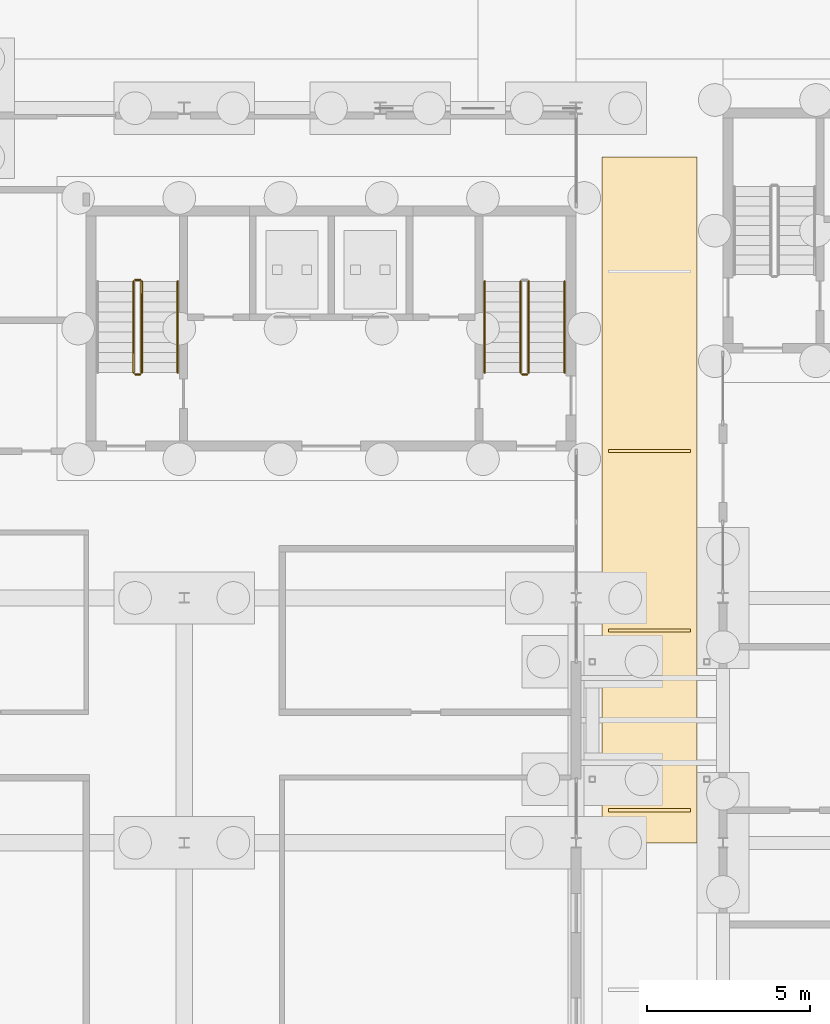
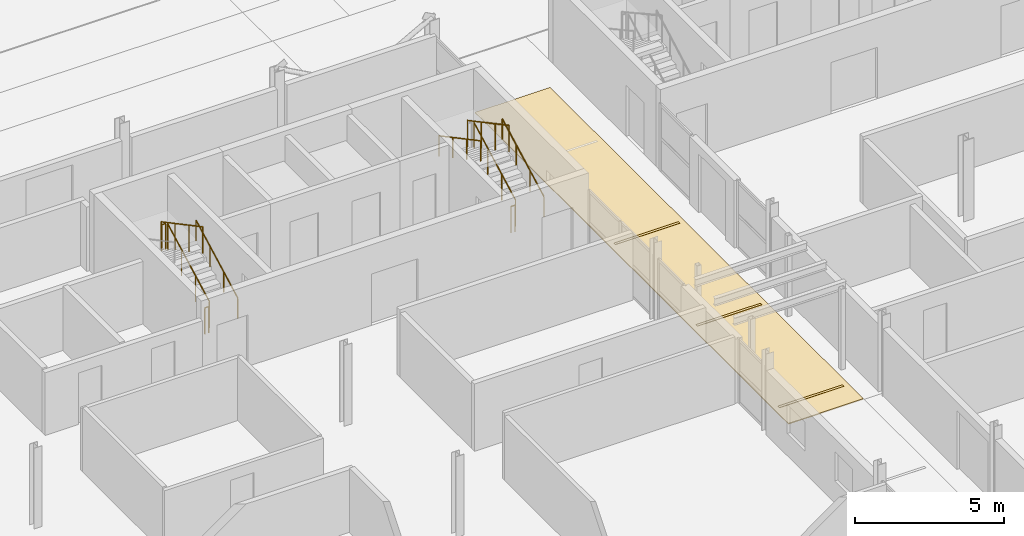
# One storey, part 107 of 130: 10 railings, 4 coverings.
"""IFC4 building model written with IfcOpenShell, lengths in metres."""

from ifc_helpers import new_model, si_unit, direction, frame, origin, origin_2d, place, context, subcontext, project, spatial, polyline, circle, outline, extrude, material, layer, layer_set, type_object, element, save


model = new_model("IFC4")

# Units and contexts
model_context = context("Model", 3, precision=1e-05, world=origin(), true_north=direction((0.0, 1.0)))
body_context = subcontext(model_context, "Body", "Model", "MODEL_VIEW")
ifc_project = project(units=[si_unit("LENGTHUNIT", "METRE"), si_unit("AREAUNIT", "SQUARE_METRE"), si_unit("VOLUMEUNIT", "CUBIC_METRE"), si_unit("PLANEANGLEUNIT", "RADIAN"), si_unit("MASSUNIT", "GRAM", prefix="KILO")], contexts=[model_context])

# Site, building, storey
site_placement = place(None, origin())
site = spatial("IfcSite", under=ifc_project, at=site_placement, CompositionType="ELEMENT")
building_placement = place(site_placement, origin())
building = spatial("IfcBuilding", under=site, at=building_placement, Name="Parallax Yard Mobility Hub", CompositionType="ELEMENT")
storey_placement = place(building_placement, origin())
storey = spatial("IfcBuildingStorey", under=building, at=storey_placement, Name="L00", CompositionType="ELEMENT", Elevation=0.0)

# Coverings
ifc_material_1 = material(Name="Thermoplastic road marking")
ifc_layer_1 = layer(ifc_material_1, 0.0048828125)
ifc_layer_set_1 = layer_set([ifc_layer_1], Name="Bay marking strip 5")
covering_type_1 = type_object("IfcCoveringType", Name="Bay marking strip 5", PredefinedType="USERDEFINED", material=ifc_layer_set_1)
covering_1_placement = place(storey_placement, frame((0.0, 0.0, 0.0400390625)))
element("IfcCovering", 1, at=covering_1_placement, inside=storey, type_object=covering_type_1, Name="Taxi rank bay line 5", ObjectType="ROAD MARKING", PredefinedType="USERDEFINED", context=body_context, shape_type="SweptSolid", body=[
    extrude(outline(polyline([(96.5, 30.949951171875), (96.5, 31.050048828125), (94.0, 31.050048828125), (94.0, 30.949951171875), (96.5, 30.949951171875)])), origin(), (0.0, 0.0, 1.0), 0.0048828125),
])
covering_2_placement = place(storey_placement, frame((0.0, 0.0, 0.0400390625)))
element("IfcCovering", 2, at=covering_2_placement, inside=storey, type_object=covering_type_1, Name="Taxi rank bay line 6", ObjectType="ROAD MARKING", PredefinedType="USERDEFINED", context=body_context, shape_type="SweptSolid", body=[
    extrude(outline(polyline([(96.5, 36.449951171875), (96.5, 36.550048828125), (94.0, 36.550048828125), (94.0, 36.449951171875), (96.5, 36.449951171875)])), origin(), (0.0, 0.0, 1.0), 0.0048828125),
])
covering_3_placement = place(storey_placement, frame((0.0, 0.0, 0.0400390625)))
element("IfcCovering", 3, at=covering_3_placement, inside=storey, type_object=covering_type_1, Name="Taxi rank bay line 7", ObjectType="ROAD MARKING", PredefinedType="USERDEFINED", context=body_context, shape_type="SweptSolid", body=[
    extrude(outline(polyline([(96.5, 41.949951171875), (96.5, 42.050048828125), (94.0, 42.050048828125), (94.0, 41.949951171875), (96.5, 41.949951171875)])), origin(), (0.0, 0.0, 1.0), 0.0048828125),
])
ifc_material_2 = material(Name="Asphalt wearing course")
ifc_layer_2 = layer(ifc_material_2, 0.0400390625)
ifc_layer_set_2 = layer_set([ifc_layer_2], Name="Forecourt surfacing, Asphalt wearing course 40")
covering_type_2 = type_object("IfcCoveringType", Name="Forecourt surfacing, Asphalt wearing course 40", PredefinedType="USERDEFINED", material=ifc_layer_set_2)
covering_4_placement = place(storey_placement, origin())
element("IfcCovering", 4, at=covering_4_placement, inside=storey, type_object=covering_type_2, Name="Taxi rank surfacing 2", ObjectType="ROADWAY", PredefinedType="USERDEFINED", context=body_context, shape_type="SweptSolid", body=[
    extrude(outline(polyline([(96.699951171875, 51.0), (96.699951171875, 30.0), (93.800048828125, 30.0), (93.800048828125, 51.0), (96.699951171875, 51.0)])), origin(), (0.0, 0.0, 1.0), 0.0400390625),
])

# Railings
ifc_material_3 = material(Name="Steel ASTM A36", Category="steel")
railing_type_1 = type_object("IfcRailingType", Name="Stair guard 1100", PredefinedType="GUARDRAIL", material=ifc_material_3)
railing_1_placement = place(storey_placement, frame((79.699951171875, 44.39990234375, 0.1650390625)))
element("IfcRailing", 5, at=railing_1_placement, inside=storey, type_object=railing_type_1, Name="L00 ST17 stair guard 1", PredefinedType="GUARDRAIL", context=body_context, shape_type="SweptSolid", body=[
    extrude(circle(Radius=0.02392578125, at=origin_2d()), frame((0.0, 0.0, 1.076171875), z_axis=(0.0, 0.882767428149, 0.469810246588), x_axis=(-1.0, 0.0, 0.0)), (0.0, 0.0, 1.0), 3.16064453125),
    extrude(circle(Radius=0.02099609375, at=origin_2d()), origin(), (0.0, 0.0, 1.0), 1.052001953125),
    extrude(circle(Radius=0.02099609375, at=origin_2d()), frame((0.0, 0.929931640625, 0.494873046875)), (0.0, 0.0, 1.0), 1.052001953125),
    extrude(circle(Radius=0.02099609375, at=origin_2d()), frame((0.0, 1.860107421875, 0.989990234375)), (0.0, 0.0, 1.0), 1.052001953125),
    extrude(circle(Radius=0.02099609375, at=origin_2d()), frame((0.0, 2.7900390625, 1.48486328125)), (0.0, 0.0, 1.0), 1.052001953125),
])
railing_2_placement = place(storey_placement, frame((79.64990234375, 47.239990234375, 1.64990234375)))
element("IfcRailing", 6, at=railing_2_placement, inside=storey, type_object=railing_type_1, Name="L00 ST17 stair guard 2", PredefinedType="GUARDRAIL", context=body_context, shape_type="SweptSolid", body=[
    extrude(circle(Radius=0.02392578125, at=origin_2d()), frame((0.0, 0.0, 1.076171875), z_axis=(-1.0, 0.0, 0.0), x_axis=(0.0, -1.0, 0.0)), (0.0, 0.0, 1.0), 0.14990234375),
    extrude(circle(Radius=0.02099609375, at=origin_2d()), origin(), (0.0, 0.0, 1.0), 1.052001953125),
    extrude(circle(Radius=0.02099609375, at=origin_2d()), frame((-0.14990234375, 0.0, 0.0)), (0.0, 0.0, 1.0), 1.052001953125),
])
railing_3_placement = place(storey_placement, frame((79.449951171875, 47.18994140625, 1.81494140625)))
element("IfcRailing", 7, at=railing_3_placement, inside=storey, type_object=railing_type_1, Name="L00 ST17 stair guard 3", PredefinedType="GUARDRAIL", context=body_context, shape_type="SweptSolid", body=[
    extrude(circle(Radius=0.02392578125, at=origin_2d()), frame((0.0, 0.0, 1.076171875), z_axis=(0.0, -0.882735390775, 0.469870439454), x_axis=(1.0, 0.0, 0.0)), (0.0, 0.0, 1.0), 3.16064453125),
    extrude(circle(Radius=0.02099609375, at=origin_2d()), origin(), (0.0, 0.0, 1.0), 1.052001953125),
    extrude(circle(Radius=0.02099609375, at=origin_2d()), frame((0.0, -0.929931640625, 0.4951171875)), (0.0, 0.0, 1.0), 1.052001953125),
    extrude(circle(Radius=0.02099609375, at=origin_2d()), frame((0.0, -1.860107421875, 0.989990234375)), (0.0, 0.0, 1.0), 1.052001953125),
    extrude(circle(Radius=0.02099609375, at=origin_2d()), frame((0.0, -2.7900390625, 1.485107421875)), (0.0, 0.0, 1.0), 1.052001953125),
])
railing_4_placement = place(storey_placement, frame((79.64990234375, 44.35009765625, 0.0)))
element("IfcRailing", 8, at=railing_4_placement, inside=storey, type_object=railing_type_1, Name="L00 ST17 stair guard 4", PredefinedType="GUARDRAIL", context=body_context, shape_type="SweptSolid", body=[
    extrude(circle(Radius=0.02392578125, at=origin_2d()), frame((0.0, 0.0, 1.076171875), z_axis=(-1.0, 0.0, 0.0), x_axis=(0.0, -1.0, 0.0)), (0.0, 0.0, 1.0), 0.14990234375),
    extrude(circle(Radius=0.02099609375, at=origin_2d()), origin(), (0.0, 0.0, 1.0), 1.052001953125),
    extrude(circle(Radius=0.02099609375, at=origin_2d()), frame((-0.14990234375, 0.0, 0.0)), (0.0, 0.0, 1.0), 1.052001953125),
])
railing_5_placement = place(storey_placement, frame((91.550048828125, 44.39990234375, 0.1650390625)))
element("IfcRailing", 9, at=railing_5_placement, inside=storey, type_object=railing_type_1, Name="L00 ST18 stair guard 1", PredefinedType="GUARDRAIL", context=body_context, shape_type="SweptSolid", body=[
    extrude(circle(Radius=0.02392578125, at=origin_2d()), frame((0.0, 0.0, 1.076171875), z_axis=(0.0, 0.882767428149, 0.469810246588), x_axis=(-1.0, 0.0, 0.0)), (0.0, 0.0, 1.0), 3.16064453125),
    extrude(circle(Radius=0.02099609375, at=origin_2d()), origin(), (0.0, 0.0, 1.0), 1.052001953125),
    extrude(circle(Radius=0.02099609375, at=origin_2d()), frame((0.0, 0.929931640625, 0.494873046875)), (0.0, 0.0, 1.0), 1.052001953125),
    extrude(circle(Radius=0.02099609375, at=origin_2d()), frame((0.0, 1.860107421875, 0.989990234375)), (0.0, 0.0, 1.0), 1.052001953125),
    extrude(circle(Radius=0.02099609375, at=origin_2d()), frame((0.0, 2.7900390625, 1.48486328125)), (0.0, 0.0, 1.0), 1.052001953125),
])
railing_6_placement = place(storey_placement, frame((91.300048828125, 47.18994140625, 1.81494140625)))
element("IfcRailing", 10, at=railing_6_placement, inside=storey, type_object=railing_type_1, Name="L00 ST18 stair guard 3", PredefinedType="GUARDRAIL", context=body_context, shape_type="SweptSolid", body=[
    extrude(circle(Radius=0.02392578125, at=origin_2d()), frame((0.0, 0.0, 1.076171875), z_axis=(0.0, -0.882735390775, 0.469870439454), x_axis=(1.0, 0.0, 0.0)), (0.0, 0.0, 1.0), 3.16064453125),
    extrude(circle(Radius=0.02099609375, at=origin_2d()), origin(), (0.0, 0.0, 1.0), 1.052001953125),
    extrude(circle(Radius=0.02099609375, at=origin_2d()), frame((0.0, -0.929931640625, 0.4951171875)), (0.0, 0.0, 1.0), 1.052001953125),
    extrude(circle(Radius=0.02099609375, at=origin_2d()), frame((0.0, -1.860107421875, 0.989990234375)), (0.0, 0.0, 1.0), 1.052001953125),
    extrude(circle(Radius=0.02099609375, at=origin_2d()), frame((0.0, -2.7900390625, 1.485107421875)), (0.0, 0.0, 1.0), 1.052001953125),
])
railing_7_placement = place(storey_placement, frame((91.5, 44.35009765625, 0.0)))
element("IfcRailing", 11, at=railing_7_placement, inside=storey, type_object=railing_type_1, Name="L00 ST18 stair guard 4", PredefinedType="GUARDRAIL", context=body_context, shape_type="SweptSolid", body=[
    extrude(circle(Radius=0.02392578125, at=origin_2d()), frame((0.0, 0.0, 1.076171875), z_axis=(-1.0, 0.0, 0.0), x_axis=(0.0, -1.0, 0.0)), (0.0, 0.0, 1.0), 0.14990234375),
    extrude(circle(Radius=0.02099609375, at=origin_2d()), origin(), (0.0, 0.0, 1.0), 1.052001953125),
    extrude(circle(Radius=0.02099609375, at=origin_2d()), frame((-0.14990234375, 0.0, 0.0)), (0.0, 0.0, 1.0), 1.052001953125),
])
railing_type_2 = type_object("IfcRailingType", Name="Stair handrail", PredefinedType="HANDRAIL", material=ifc_material_3)
for number, where, name in (
    (12, (80.800048828125, 44.39990234375, 0.1650390625), "L00 ST17 stair handrail 1"),
    (13, (92.64990234375, 44.39990234375, 0.1650390625), "L00 ST18 stair handrail 1"),
):
    element("IfcRailing", number, at=place(storey_placement, frame(where)), inside=storey, type_object=railing_type_2, Name=name, PredefinedType="HANDRAIL", context=body_context, shape_type="SweptSolid", body=[
        extrude(circle(Radius=0.02392578125, at=origin_2d()), frame((0.0, 0.0, 0.8310546875), z_axis=(0.0, 0.882767428149, 0.469810246588), x_axis=(-1.0, 0.0, 0.0)), (0.0, 0.0, 1.0), 3.16064453125),
        extrude(circle(Radius=0.02099609375, at=origin_2d()), origin(), (0.0, 0.0, 1.0), 0.806884765625),
        extrude(circle(Radius=0.02099609375, at=origin_2d()), frame((0.0, 0.929931640625, 0.494873046875)), (0.0, 0.0, 1.0), 0.806884765625),
        extrude(circle(Radius=0.02099609375, at=origin_2d()), frame((0.0, 1.860107421875, 0.989990234375)), (0.0, 0.0, 1.0), 0.806884765625),
        extrude(circle(Radius=0.02099609375, at=origin_2d()), frame((0.0, 2.7900390625, 1.48486328125)), (0.0, 0.0, 1.0), 0.806884765625),
    ])
railing_8_placement = place(storey_placement, frame((90.199951171875, 47.18994140625, 1.81494140625)))
element("IfcRailing", 14, at=railing_8_placement, inside=storey, type_object=railing_type_2, Name="L00 ST18 stair handrail 2", PredefinedType="HANDRAIL", context=body_context, shape_type="SweptSolid", body=[
    extrude(circle(Radius=0.02392578125, at=origin_2d()), frame((0.0, 0.0, 0.8310546875), z_axis=(0.0, -0.882735390775, 0.469870439454), x_axis=(1.0, 0.0, 0.0)), (0.0, 0.0, 1.0), 3.16064453125),
    extrude(circle(Radius=0.02099609375, at=origin_2d()), origin(), (0.0, 0.0, 1.0), 0.806884765625),
    extrude(circle(Radius=0.02099609375, at=origin_2d()), frame((0.0, -0.929931640625, 0.4951171875)), (0.0, 0.0, 1.0), 0.806884765625),
    extrude(circle(Radius=0.02099609375, at=origin_2d()), frame((0.0, -1.860107421875, 0.989990234375)), (0.0, 0.0, 1.0), 0.806884765625),
    extrude(circle(Radius=0.02099609375, at=origin_2d()), frame((0.0, -2.7900390625, 1.485107421875)), (0.0, 0.0, 1.0), 0.806884765625),
])

save(model, "model.ifc")
